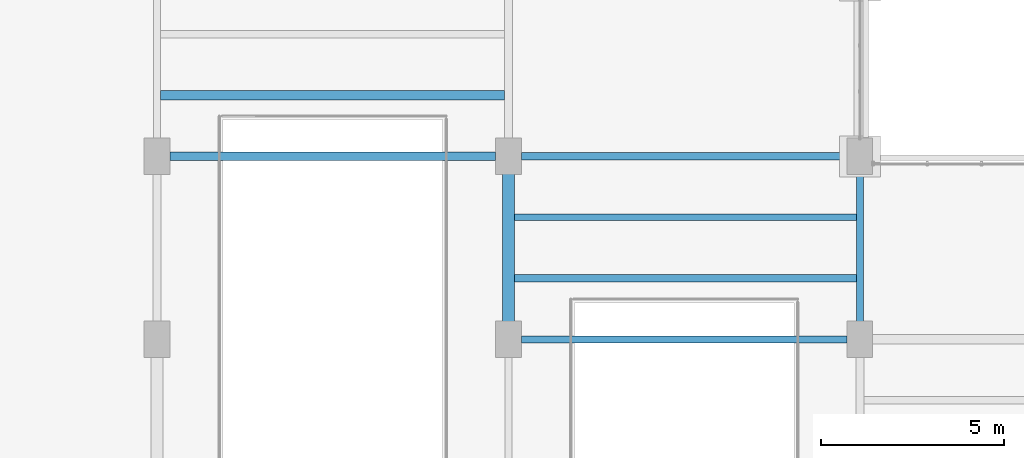
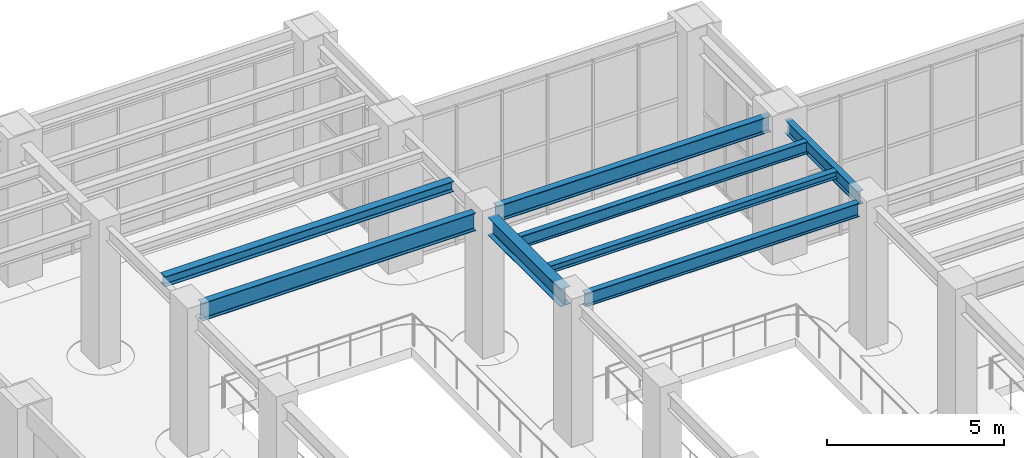
# One storey, part 89 of 174: 8 beams.
"""IFC4 building model written with IfcOpenShell, lengths in metres."""

from ifc_helpers import new_model, si_unit, direction, frame, origin, origin_2d, place, context, subcontext, project, spatial, i_section, extrude, material, material_profile, profile_set, type_object, element, save


model = new_model("IFC4")

# Units and contexts
model_context = context("Model", 3, precision=1e-05, world=origin(), true_north=direction((0.0, 1.0)))
body_context = subcontext(model_context, "Body", "Model", "MODEL_VIEW")
ifc_project = project(units=[si_unit("LENGTHUNIT", "METRE"), si_unit("AREAUNIT", "SQUARE_METRE"), si_unit("VOLUMEUNIT", "CUBIC_METRE"), si_unit("PLANEANGLEUNIT", "RADIAN"), si_unit("MASSUNIT", "GRAM", prefix="KILO")], contexts=[model_context])

# Site, building, storey
site_placement = place(None, origin())
site = spatial("IfcSite", under=ifc_project, at=site_placement, CompositionType="ELEMENT")
building_placement = place(site_placement, origin())
building = spatial("IfcBuilding", under=site, at=building_placement, Name="Mavantir Sound Aquarium", CompositionType="ELEMENT")
storey_placement = place(building_placement, frame((0.0, 0.0, 5.39990234375)))
storey = spatial("IfcBuildingStorey", under=building, at=storey_placement, Name="L01", CompositionType="ELEMENT", Elevation=5.39990234375)

# Beams
ifc_material = material(Name="Structural Steel ASTM A992 Gr50", Category="steel")
ifc_material_profile_1 = material_profile(ifc_material, i_section(OverallWidth=0.202880859375, OverallDepth=0.251953125, WebThickness=0.008056640625, FlangeThickness=0.013427734375, FilletRadius=0.011962890625, at=origin_2d()), Name="W250X58")
ifc_profile_set_1 = profile_set([ifc_material_profile_1], Name="Structural Steel ASTM A992 Gr50")
beam_type_1 = type_object("IfcBeamType", Name="BM-W250X58-I", PredefinedType="JOIST", material=ifc_profile_set_1)
beam_1_placement = place(storey_placement, frame((117.761962890625, 82.466796875, 4.68017578125), z_axis=(1.0, 0.0, 0.0), x_axis=(0.0, 1.0, 0.0)))
element("IfcBeam", 1, at=beam_1_placement, inside=storey, type_object=beam_type_1, Name="L01 secondary floor joist SJ-25 788", PredefinedType="JOIST", context=body_context, shape_type="SweptSolid", body=[
    extrude(i_section(OverallWidth=0.202880859375, OverallDepth=0.251953125, WebThickness=0.008056640625, FlangeThickness=0.013427734375, FilletRadius=0.011962890625, at=origin_2d()), origin(), (0.0, 0.0, 1.0), 9.341064453125),
])
ifc_material_profile_2 = material_profile(ifc_material, i_section(OverallWidth=0.25390625, OverallDepth=0.35302734375, WebThickness=0.009521484375, FlangeThickness=0.016357421875, FilletRadius=0.014892578125, at=origin_2d()), Name="W360X91")
ifc_profile_set_2 = profile_set([ifc_material_profile_2], Name="Structural Steel ASTM A992 Gr50")
beam_type_2 = type_object("IfcBeamType", Name="BM-W360X91-I", PredefinedType="JOIST", material=ifc_profile_set_2)
beam_2_placement = place(storey_placement, frame((108.096923828125, 87.466796875, 4.629638671875), z_axis=(1.0, 0.0, 0.0), x_axis=(0.0, 1.0, 0.0)))
element("IfcBeam", 2, at=beam_2_placement, inside=storey, type_object=beam_type_2, Name="L01 secondary floor joist SJ-36 790", PredefinedType="JOIST", context=body_context, shape_type="SweptSolid", body=[
    extrude(i_section(OverallWidth=0.25390625, OverallDepth=0.35302734375, WebThickness=0.009521484375, FlangeThickness=0.016357421875, FilletRadius=0.014892578125, at=origin_2d()), origin(), (0.0, 0.0, 1.0), 9.39697265625),
])
ifc_material_profile_3 = material_profile(ifc_material, i_section(OverallWidth=0.180908203125, OverallDepth=0.4169921875, WebThickness=0.010986328125, FlangeThickness=0.018310546875, FilletRadius=0.014892578125, at=origin_2d()), Name="W410X85")
ifc_profile_set_3 = profile_set([ifc_material_profile_3], Name="Structural Steel ASTM A992 Gr50")
beam_type_3 = type_object("IfcBeamType", Name="BM-W410X85-I", PredefinedType="JOIST", material=ifc_profile_set_3)
beam_3_placement = place(storey_placement, frame((117.761962890625, 84.13330078125, 4.59765625), z_axis=(1.0, 0.0, 0.0), x_axis=(0.0, 1.0, 0.0)))
element("IfcBeam", 3, at=beam_3_placement, inside=storey, type_object=beam_type_3, Name="L01 secondary floor joist SJ-41 789", PredefinedType="JOIST", context=body_context, shape_type="SweptSolid", body=[
    extrude(i_section(OverallWidth=0.180908203125, OverallDepth=0.4169921875, WebThickness=0.010986328125, FlangeThickness=0.018310546875, FilletRadius=0.014892578125, at=origin_2d()), origin(), (0.0, 0.0, 1.0), 9.341064453125),
])
ifc_material_profile_4 = material_profile(ifc_material, i_section(OverallWidth=0.194091796875, OverallDepth=0.468994140625, WebThickness=0.0126953125, FlangeThickness=0.0205078125, FilletRadius=0.01611328125, at=origin_2d()), Name="W460X106")
ifc_profile_set_4 = profile_set([ifc_material_profile_4], Name="Structural Steel ASTM A992 Gr50")
beam_type_4 = type_object("IfcBeamType", Name="BM-W460X106-I", PredefinedType="BEAM", material=ifc_profile_set_4)
beam_4_placement = place(storey_placement, frame((117.949951171875, 80.800048828125, 4.571533203125), z_axis=(1.0, 0.0, 0.0), x_axis=(0.0, 1.0, 0.0)))
element("IfcBeam", 4, at=beam_4_placement, inside=storey, type_object=beam_type_4, Name="L01 primary beam SB-46 1275", PredefinedType="BEAM", context=body_context, shape_type="SweptSolid", body=[
    extrude(i_section(OverallWidth=0.194091796875, OverallDepth=0.468994140625, WebThickness=0.0126953125, FlangeThickness=0.0205078125, FilletRadius=0.01611328125, at=origin_2d()), origin(), (0.0, 0.0, 1.0), 8.900146484375),
])
beam_5_placement = place(storey_placement, frame((127.199951171875, 81.25, 4.54150390625), z_axis=(0.0, 1.0, 0.0), x_axis=(-1.0, 0.0, 0.0)))
element("IfcBeam", 5, at=beam_5_placement, inside=storey, type_object=beam_type_4, Name="L01 primary girder SB-46 1320", PredefinedType="BEAM", context=body_context, shape_type="SweptSolid", body=[
    extrude(i_section(OverallWidth=0.194091796875, OverallDepth=0.468994140625, WebThickness=0.0126953125, FlangeThickness=0.0205078125, FilletRadius=0.01611328125, at=origin_2d()), origin(), (0.0, 0.0, 1.0), 4.10009765625),
])
ifc_material_profile_5 = material_profile(ifc_material, i_section(OverallWidth=0.2119140625, OverallDepth=0.5439453125, WebThickness=0.01318359375, FlangeThickness=0.021240234375, FilletRadius=0.01806640625, at=origin_2d()), Name="W530X123")
ifc_profile_set_5 = profile_set([ifc_material_profile_5], Name="Structural Steel ASTM A992 Gr50")
beam_type_5 = type_object("IfcBeamType", Name="BM-W530X123-I", PredefinedType="BEAM", material=ifc_profile_set_5)
beam_6_placement = place(storey_placement, frame((117.949951171875, 85.800048828125, 4.504150390625), z_axis=(1.0, 0.0, 0.0), x_axis=(0.0, 1.0, 0.0)))
element("IfcBeam", 6, at=beam_6_placement, inside=storey, type_object=beam_type_5, Name="L01 primary beam SB-53 1278", PredefinedType="BEAM", context=body_context, shape_type="SweptSolid", body=[
    extrude(i_section(OverallWidth=0.2119140625, OverallDepth=0.5439453125, WebThickness=0.01318359375, FlangeThickness=0.021240234375, FilletRadius=0.01806640625, at=origin_2d()), origin(), (0.0, 0.0, 1.0), 8.900146484375),
])
ifc_material_profile_6 = material_profile(ifc_material, i_section(OverallWidth=0.22900390625, OverallDepth=0.612060546875, WebThickness=0.011962890625, FlangeThickness=0.01953125, FilletRadius=0.01904296875, at=origin_2d()), Name="W610X125")
ifc_profile_set_6 = profile_set([ifc_material_profile_6], Name="Structural Steel ASTM A992 Gr50")
beam_type_6 = type_object("IfcBeamType", Name="BM-W610X125-I", PredefinedType="BEAM", material=ifc_profile_set_6)
beam_7_placement = place(storey_placement, frame((108.35009765625, 85.800048828125, 4.5), z_axis=(1.0, 0.0, 0.0), x_axis=(0.0, 1.0, 0.0)))
element("IfcBeam", 7, at=beam_7_placement, inside=storey, type_object=beam_type_6, Name="L01 primary beam SB-61B 1277", PredefinedType="BEAM", context=body_context, shape_type="SweptSolid", body=[
    extrude(i_section(OverallWidth=0.22900390625, OverallDepth=0.612060546875, WebThickness=0.011962890625, FlangeThickness=0.01953125, FilletRadius=0.01904296875, at=origin_2d()), origin(), (0.0, 0.0, 1.0), 8.89990234375),
])
ifc_material_profile_7 = material_profile(ifc_material, i_section(OverallWidth=0.323974609375, OverallDepth=0.611083984375, WebThickness=0.0126953125, FlangeThickness=0.01904296875, FilletRadius=0.01904296875, at=origin_2d()), Name="W610X155")
ifc_profile_set_7 = profile_set([ifc_material_profile_7], Name="Structural Steel ASTM A992 Gr50")
beam_type_7 = type_object("IfcBeamType", Name="BM-W610X155-I", PredefinedType="BEAM", material=ifc_profile_set_7)
beam_8_placement = place(storey_placement, frame((117.60009765625, 81.25, 4.50048828125), z_axis=(0.0, 1.0, 0.0), x_axis=(-1.0, 0.0, 0.0)))
element("IfcBeam", 8, at=beam_8_placement, inside=storey, type_object=beam_type_7, Name="L01 primary girder SB-61A 1309", PredefinedType="BEAM", context=body_context, shape_type="SweptSolid", body=[
    extrude(i_section(OverallWidth=0.323974609375, OverallDepth=0.611083984375, WebThickness=0.0126953125, FlangeThickness=0.01904296875, FilletRadius=0.01904296875, at=origin_2d()), origin(), (0.0, 0.0, 1.0), 4.10009765625),
])

save(model, "model.ifc")
